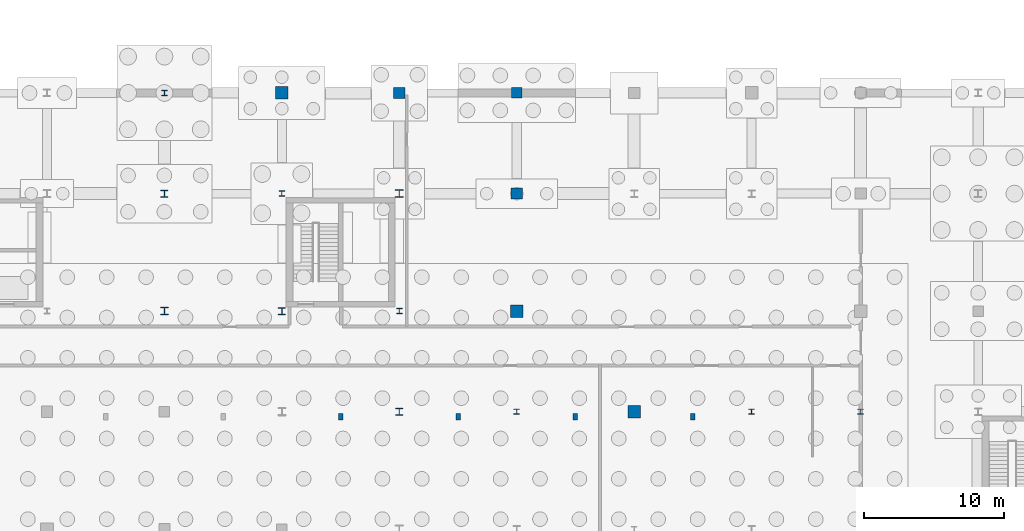
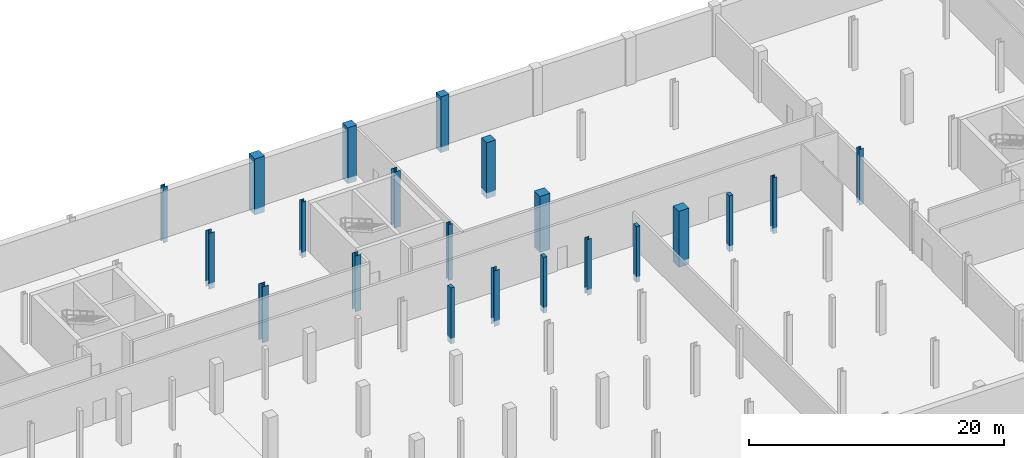
# One storey, part 16 of 32: 21 columns.
"""IFC4 building model written with IfcOpenShell, lengths in metres."""

from ifc_helpers import new_model, si_unit, direction, frame, origin_with_axes, origin_2d_with_axis, place, context, subcontext, project, spatial, rectangle, i_section, extrude, material, material_profile, profile_set, type_object, element, save


model = new_model("IFC4")

# Units and contexts
model_context = context("Model", 3, precision=1e-05, world=origin_with_axes(), true_north=direction((0.0, 1.0)))
body_context = subcontext(model_context, "Body", "Model", "MODEL_VIEW")
ifc_project = project(units=[si_unit("LENGTHUNIT", "METRE"), si_unit("AREAUNIT", "SQUARE_METRE"), si_unit("VOLUMEUNIT", "CUBIC_METRE"), si_unit("PLANEANGLEUNIT", "RADIAN"), si_unit("MASSUNIT", "GRAM", prefix="KILO"), si_unit("THERMODYNAMICTEMPERATUREUNIT", "KELVIN")], contexts=[model_context])

# Site, building, storey
site_placement = place(None, origin_with_axes())
site = spatial("IfcSite", under=ifc_project, at=site_placement, CompositionType="ELEMENT")
building_placement = place(site_placement, origin_with_axes())
building = spatial("IfcBuilding", under=site, at=building_placement, Name="Montbau Bow Law Courts", CompositionType="ELEMENT")
storey_placement = place(building_placement, frame((0.0, 0.0, -4.8), z_axis=(0.0, 0.0, 1.0), x_axis=(1.0, 0.0, 0.0)))
storey = spatial("IfcBuildingStorey", under=building, at=storey_placement, Name="B1", CompositionType="ELEMENT", Elevation=-4.8)

# Columns
ifc_material_1 = material(Name="Concrete CSA A23.1 f'c 40 MPa", Category="concrete")
ifc_material_profile_1 = material_profile(ifc_material_1, rectangle(XDim=0.32, YDim=0.48, at=origin_2d_with_axis()), Name="RC480X320", Category="Main", Priority=0)
ifc_profile_set_1 = profile_set([ifc_material_profile_1], Name="Concrete CSA A23.1 f'c 40 MPa")
column_type_1 = type_object("IfcColumnType", Name="C-PIL-02", PredefinedType="PILASTER", material=ifc_profile_set_1)
for number, where, z_axis, x_axis, name in (
    (1, (84.6, 38.65, -5.35), (0.0, 0.0, 1.0), (1.0, 0.0, 0.0), "PL-B1-S13:pil2_0037"),
    (2, (93.0, 38.65, -5.35), (0.0, 0.0, 1.0), (1.0, 0.0, 0.0), "PL-B1-S14:pil2_0040"),
    (3, (101.4, 38.65, -5.35), (0.0, 0.0, 1.0), (1.0, 0.0, 0.0), "PL-B1-S15:pil2_0043"),
    (4, (109.8, 38.65, -5.35), (0.0, 0.0, 1.0), (1.0, 0.0, 0.0), "PL-B1-S16:pil2_0046"),
):
    element("IfcColumn", number, at=place(None, frame(where, z_axis=z_axis, x_axis=x_axis)), inside=storey, type_object=column_type_1, Name=name, PredefinedType="PILASTER", context=body_context, shape_type="SweptSolid", body=[
        extrude(rectangle(XDim=0.32, YDim=0.48, at=origin_2d_with_axis()), origin_with_axes(), (0.0, 0.0, 1.0), 5.35),
    ])
ifc_material_2 = material(Name="Concrete CSA A23.1 f'c 45 MPa", Category="concrete")
ifc_material_profile_2 = material_profile(ifc_material_2, rectangle(XDim=0.9, YDim=0.9, at=origin_2d_with_axis()), Name="RC900X900", Category="Main", Priority=0)
ifc_profile_set_2 = profile_set([ifc_material_profile_2], Name="Concrete CSA A23.1 f'c 45 MPa")
column_type_2 = type_object("IfcColumnType", Name="C-RC-01", PredefinedType="COLUMN", material=ifc_profile_set_2)
for number, where, z_axis, x_axis, name in (
    (5, (80.4, 61.8, -5.35), (0.0, 0.0, 1.0), (1.0, 0.0, 0.0), "C-B1-S069:col2_0069"),
    (6, (97.2, 46.2, -5.35), (0.0, 0.0, 1.0), (1.0, 0.0, 0.0), "C-B1-S081:col2_0081"),
    (7, (105.6, 39.0, -5.35), (0.0, 0.0, 1.0), (1.0, 0.0, 0.0), "C-B1-S087:col2_0087"),
):
    element("IfcColumn", number, at=place(None, frame(where, z_axis=z_axis, x_axis=x_axis)), inside=storey, type_object=column_type_2, Name=name, PredefinedType="COLUMN", context=body_context, shape_type="SweptSolid", body=[
        extrude(rectangle(XDim=0.9, YDim=0.9, at=origin_2d_with_axis()), origin_with_axes(), (0.0, 0.0, 1.0), 5.35),
    ])
ifc_material_profile_3 = material_profile(ifc_material_2, rectangle(XDim=0.8, YDim=0.8, at=origin_2d_with_axis()), Name="RC800X800", Category="Main", Priority=0)
ifc_profile_set_3 = profile_set([ifc_material_profile_3], Name="Concrete CSA A23.1 f'c 45 MPa")
column_type_3 = type_object("IfcColumnType", Name="C-RC-02", PredefinedType="COLUMN", material=ifc_profile_set_3)
for number, where, z_axis, x_axis, name in (
    (8, (88.8, 61.8, -5.35), (0.0, 0.0, 1.0), (1.0, 0.0, 0.0), "C-B1-S076:col2_0076"),
    (9, (97.2, 54.6, -5.35), (0.0, 0.0, 1.0), (1.0, 0.0, 0.0), "C-B1-S082:col2_0082"),
):
    element("IfcColumn", number, at=place(None, frame(where, z_axis=z_axis, x_axis=x_axis)), inside=storey, type_object=column_type_3, Name=name, PredefinedType="COLUMN", context=body_context, shape_type="SweptSolid", body=[
        extrude(rectangle(XDim=0.8, YDim=0.8, at=origin_2d_with_axis()), origin_with_axes(), (0.0, 0.0, 1.0), 5.35),
    ])
ifc_material_profile_4 = material_profile(ifc_material_1, rectangle(XDim=0.75, YDim=0.75, at=origin_2d_with_axis()), Name="RC750X750", Category="Main", Priority=0)
ifc_profile_set_4 = profile_set([ifc_material_profile_4], Name="Concrete CSA A23.1 f'c 40 MPa")
column_type_4 = type_object("IfcColumnType", Name="C-RC-03", PredefinedType="COLUMN", material=ifc_profile_set_4)
column_placement = place(None, frame((97.2, 61.8, -5.35), z_axis=(0.0, 0.0, 1.0), x_axis=(1.0, 0.0, 0.0)))
element("IfcColumn", 10, at=column_placement, inside=storey, type_object=column_type_4, Name="C-B1-S083:col2_0083", PredefinedType="COLUMN", context=body_context, shape_type="SweptSolid", body=[
    extrude(rectangle(XDim=0.75, YDim=0.75, at=origin_2d_with_axis()), origin_with_axes(), (0.0, 0.0, 1.0), 5.35),
])
ifc_material_3 = material(Name="Steel CSA G40.21 Grade 350W (350 MPa)", Category="steel")
ifc_material_profile_5 = material_profile(ifc_material_3, i_section(OverallWidth=0.55, OverallDepth=0.55, WebThickness=0.025, FlangeThickness=0.042, at=origin_2d_with_axis()), Name="WWF550X420", Category="Main", Priority=0)
ifc_profile_set_5 = profile_set([ifc_material_profile_5], Name="Steel CSA G40.21 Grade 350W (350 MPa)")
column_type_5 = type_object("IfcColumnType", Name="C-STL-01", PredefinedType="COLUMN", material=ifc_profile_set_5)
for number, where, z_axis, x_axis, name in (
    (11, (72.0, 46.2, -5.35), (0.0, 0.0, 1.0), (1.0, 0.0, 0.0), "C-B1-S060:col2_0060"),
    (12, (88.8, 54.6, -5.35), (0.0, 0.0, 1.0), (1.0, 0.0, 0.0), "C-B1-S075:col2_0075"),
):
    element("IfcColumn", number, at=place(None, frame(where, z_axis=z_axis, x_axis=x_axis)), inside=storey, type_object=column_type_5, Name=name, PredefinedType="COLUMN", context=body_context, shape_type="SweptSolid", body=[
        extrude(i_section(OverallWidth=0.55, OverallDepth=0.55, WebThickness=0.025, FlangeThickness=0.042, at=origin_2d_with_axis()), origin_with_axes(), (0.0, 0.0, 1.0), 5.35),
    ])
ifc_material_profile_6 = material_profile(ifc_material_3, i_section(OverallWidth=0.5, OverallDepth=0.5, WebThickness=0.022, FlangeThickness=0.036, at=origin_2d_with_axis()), Name="WWF500X343", Category="Main", Priority=0)
ifc_profile_set_6 = profile_set([ifc_material_profile_6], Name="Steel CSA G40.21 Grade 350W (350 MPa)")
column_type_6 = type_object("IfcColumnType", Name="C-STL-02", PredefinedType="COLUMN", material=ifc_profile_set_6)
for number, where, z_axis, x_axis, name in (
    (13, (72.0, 54.6, -5.35), (0.0, 0.0, 1.0), (1.0, 0.0, 0.0), "C-B1-S061:col2_0061"),
    (14, (80.4, 46.2, -5.35), (0.0, 0.0, 1.0), (1.0, 0.0, 0.0), "C-B1-S067:col2_0067"),
    (15, (88.8, 39.0, -5.35), (0.0, 0.0, 1.0), (1.0, 0.0, 0.0), "C-B1-S073:col2_0073"),
):
    element("IfcColumn", number, at=place(None, frame(where, z_axis=z_axis, x_axis=x_axis)), inside=storey, type_object=column_type_6, Name=name, PredefinedType="COLUMN", context=body_context, shape_type="SweptSolid", body=[
        extrude(i_section(OverallWidth=0.5, OverallDepth=0.5, WebThickness=0.022, FlangeThickness=0.036, at=origin_2d_with_axis()), origin_with_axes(), (0.0, 0.0, 1.0), 5.35),
    ])
ifc_material_profile_7 = material_profile(ifc_material_3, i_section(OverallWidth=0.395, OverallDepth=0.38, WebThickness=0.0189, FlangeThickness=0.0302, at=origin_2d_with_axis()), Name="W360X237", Category="Main", Priority=0)
ifc_profile_set_7 = profile_set([ifc_material_profile_7], Name="Steel CSA G40.21 Grade 350W (350 MPa)")
column_type_7 = type_object("IfcColumnType", Name="C-STL-03", PredefinedType="COLUMN", material=ifc_profile_set_7)
for number, where, z_axis, x_axis, name in (
    (16, (72.0, 61.8, -5.35), (0.0, 0.0, 1.0), (1.0, 0.0, 0.0), "C-B1-S062:col2_0062"),
    (17, (80.4, 54.6, -5.35), (0.0, 0.0, 1.0), (1.0, 0.0, 0.0), "C-B1-S068:col2_0068"),
    (18, (88.8, 46.2, -5.35), (0.0, 0.0, 1.0), (1.0, 0.0, 0.0), "C-B1-S074:col2_0074"),
    (19, (97.2, 39.0, -5.35), (0.0, 0.0, 1.0), (1.0, 0.0, 0.0), "C-B1-S080:col2_0080"),
    (20, (114.0, 39.0, -5.35), (0.0, 0.0, 1.0), (1.0, 0.0, 0.0), "C-B1-S092:col2_0092"),
    (21, (121.8, 39.0, -5.35), (0.0, 0.0, 1.0), (1.0, 0.0, 0.0), "C-B1-S098:col2_0098"),
):
    element("IfcColumn", number, at=place(None, frame(where, z_axis=z_axis, x_axis=x_axis)), inside=storey, type_object=column_type_7, Name=name, PredefinedType="COLUMN", context=body_context, shape_type="SweptSolid", body=[
        extrude(i_section(OverallWidth=0.395, OverallDepth=0.38, WebThickness=0.0189, FlangeThickness=0.0302, at=origin_2d_with_axis()), origin_with_axes(), (0.0, 0.0, 1.0), 5.35),
    ])

save(model, "model.ifc")
